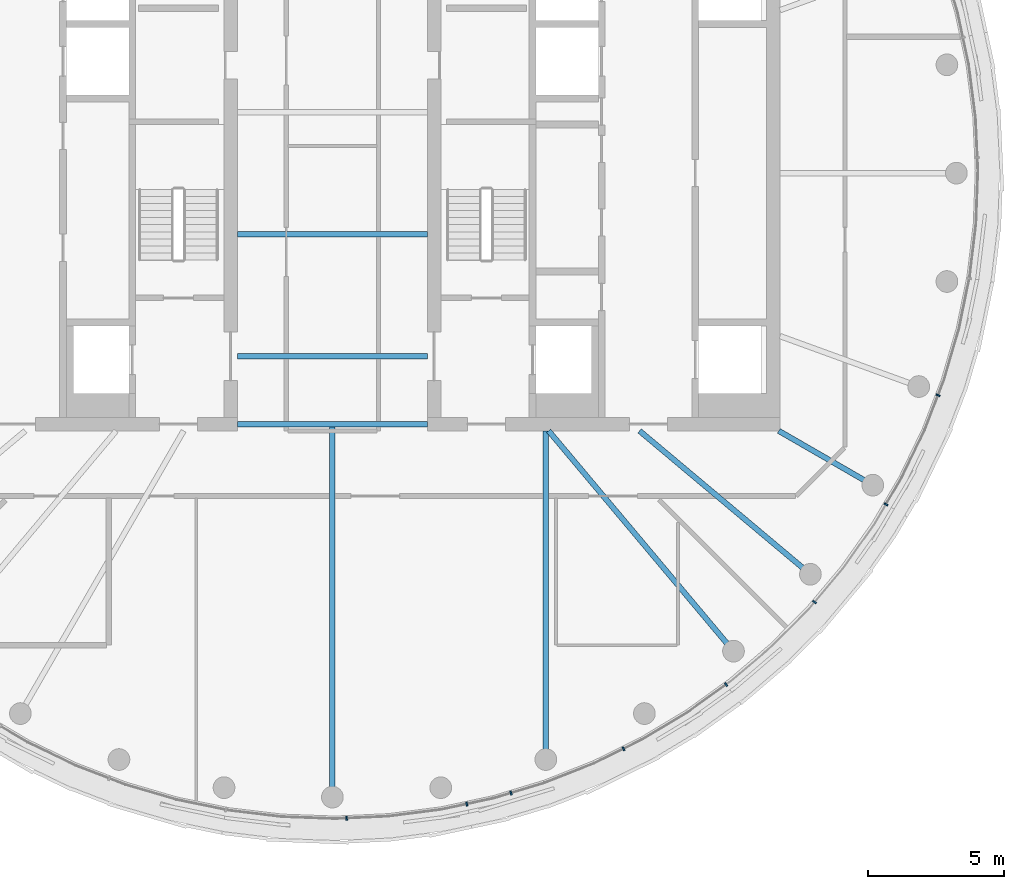
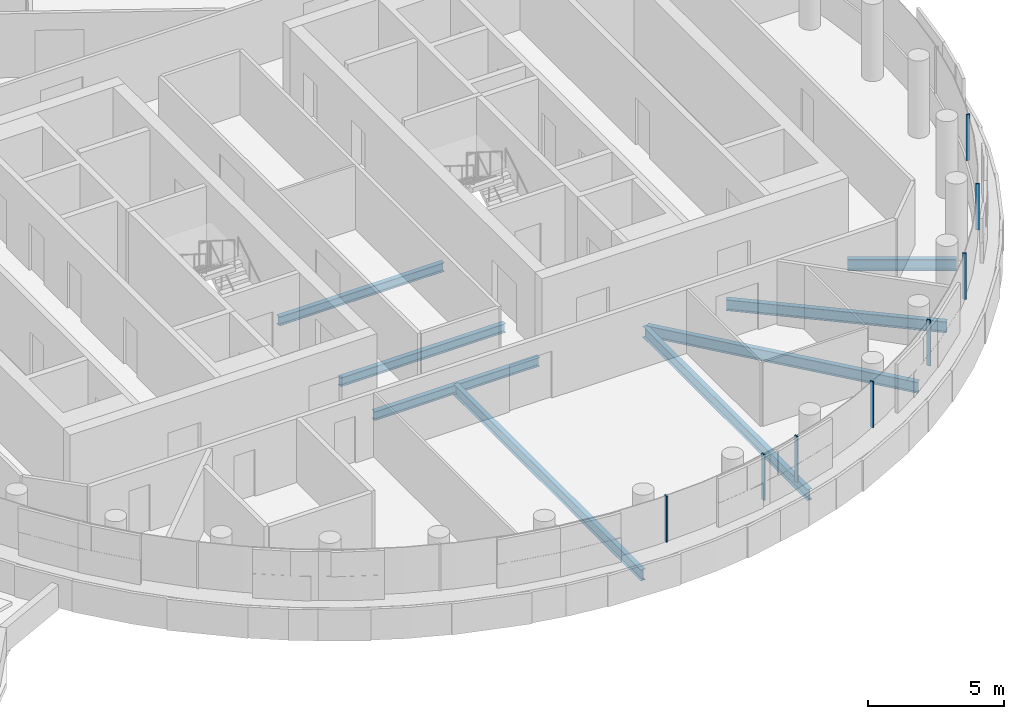
# One storey, part 4 of 22: 8 beams, 8 members, 1 element without a shape of its own.
"""IFC4 building model written with IfcOpenShell, lengths in metres."""

from ifc_helpers import new_model, si_unit, direction, frame, origin, origin_2d, place, context, subcontext, project, spatial, rectangle, i_section, extrude, material, layer, layer_set, material_profile, profile_set, type_object, element, aggregate, save


model = new_model("IFC4")

# Units and contexts
model_context = context("Model", 3, precision=1e-05, world=origin(), true_north=direction((0.0, 1.0)))
body_context = subcontext(model_context, "Body", "Model", "MODEL_VIEW")
ifc_project = project(units=[si_unit("LENGTHUNIT", "METRE"), si_unit("AREAUNIT", "SQUARE_METRE"), si_unit("VOLUMEUNIT", "CUBIC_METRE"), si_unit("PLANEANGLEUNIT", "RADIAN"), si_unit("MASSUNIT", "GRAM", prefix="KILO")], contexts=[model_context])

# Site, building, storey
site_placement = place(None, origin())
site = spatial("IfcSite", under=ifc_project, at=site_placement, CompositionType="ELEMENT")
building_placement = place(site_placement, origin())
building = spatial("IfcBuilding", under=site, at=building_placement, Name="Tamarind Cross Interchange Tower", CompositionType="ELEMENT")
storey_placement = place(building_placement, frame((0.0, 0.0, 256.800048828125)))
storey = spatial("IfcBuildingStorey", under=building, at=storey_placement, Name="L65", CompositionType="ELEMENT", Elevation=256.800048828125)

# Beams
ifc_material_1 = material(Name="Steel Q355B", Category="steel")
ifc_material_profile_1 = material_profile(ifc_material_1, i_section(OverallWidth=0.199951171875, OverallDepth=0.39990234375, WebThickness=0.008056640625, FlangeThickness=0.012939453125, FilletRadius=0.01611328125, at=origin_2d()), Name="HN 400x200x8x13")
ifc_profile_set_1 = profile_set([ifc_material_profile_1], Name="Steel Q355B")
beam_type_1 = type_object("IfcBeamType", Name="Composite beam HN 400x200x8x13 Q355B", PredefinedType="BEAM", material=ifc_profile_set_1)
for number, where, z_axis, x_axis, name in (
    (1, (-3.5, -2.25, -0.340087890625), (1.0, 0.0, 0.0), (0.0, 1.0, 0.0), "Beam G-2.25"),
    (2, (-3.5, -6.75, -0.340087890625), (1.0, 0.0, 0.0), (0.0, 1.0, 0.0), "Beam G-6.75"),
    (3, (-3.5, -9.25, -0.340087890625), (1.0, 0.0, 0.0), (0.0, 1.0, 0.0), "Beam G-9.25"),
):
    element("IfcBeam", number, at=place(storey_placement, frame(where, z_axis=z_axis, x_axis=x_axis)), inside=storey, type_object=beam_type_1, Name=name, PredefinedType="BEAM", context=body_context, shape_type="SweptSolid", body=[
        extrude(i_section(OverallWidth=0.199951171875, OverallDepth=0.39990234375, WebThickness=0.008056640625, FlangeThickness=0.012939453125, FilletRadius=0.01611328125, at=origin_2d()), origin(), (0.0, 0.0, 1.0), 7.0),
    ])
ifc_material_profile_2 = material_profile(ifc_material_1, i_section(OverallWidth=0.198974609375, OverallDepth=0.49609375, WebThickness=0.009033203125, FlangeThickness=0.013916015625, FilletRadius=0.012939453125, at=origin_2d()), Name="HN 496x199x9x14")
ifc_profile_set_2 = profile_set([ifc_material_profile_2], Name="Steel Q355B")
beam_type_2 = type_object("IfcBeamType", Name="Composite beam HN 496x199x9x14 Q355B", PredefinedType="BEAM", material=ifc_profile_set_2)
beam_1_placement = place(storey_placement, frame((0.0, -23.0, -0.387939453125), z_axis=(0.0, 1.0, 0.0), x_axis=(-1.0, 0.0, 0.0)))
element("IfcBeam", 4, at=beam_1_placement, inside=storey, type_object=beam_type_2, Name="Beam HH27", PredefinedType="BEAM", context=body_context, shape_type="SweptSolid", body=[
    extrude(i_section(OverallWidth=0.198974609375, OverallDepth=0.49609375, WebThickness=0.009033203125, FlangeThickness=0.013916015625, FilletRadius=0.012939453125, at=origin_2d()), origin(), (0.0, 0.0, 1.0), 13.75),
])
beam_2_placement = place(storey_placement, frame((7.866455078125, -21.613037109375, -0.387939453125), z_axis=(0.0, 1.0, 0.0), x_axis=(-1.0, 0.0, 0.0)))
element("IfcBeam", 5, at=beam_2_placement, inside=storey, type_object=beam_type_2, Name="Beam HH29", PredefinedType="BEAM", context=body_context, shape_type="SweptSolid", body=[
    extrude(i_section(OverallWidth=0.198974609375, OverallDepth=0.49609375, WebThickness=0.009033203125, FlangeThickness=0.013916015625, FilletRadius=0.012939453125, at=origin_2d()), origin(), (0.0, 0.0, 1.0), 12.113037109375),
])
beam_3_placement = place(storey_placement, frame((14.7841796875, -17.619140625, -0.387939453125), z_axis=(-0.642786293979, 0.766045547127, 0.0), x_axis=(-0.766045547127, -0.642786293979, 0.0)))
element("IfcBeam", 6, at=beam_3_placement, inside=storey, type_object=beam_type_2, Name="Beam HH31", PredefinedType="BEAM", context=body_context, shape_type="SweptSolid", body=[
    extrude(i_section(OverallWidth=0.198974609375, OverallDepth=0.49609375, WebThickness=0.009033203125, FlangeThickness=0.013916015625, FilletRadius=0.012939453125, at=origin_2d()), origin(), (0.0, 0.0, 1.0), 10.598876953125),
])
beam_4_placement = place(storey_placement, frame((17.619140625, -14.7841796875, -0.387939453125), z_axis=(-0.766040580814, 0.642792212574, 0.0), x_axis=(-0.642792212574, -0.766040580814, 0.0)))
element("IfcBeam", 7, at=beam_4_placement, inside=storey, type_object=beam_type_2, Name="Beam HH32", PredefinedType="BEAM", context=body_context, shape_type="SweptSolid", body=[
    extrude(i_section(OverallWidth=0.198974609375, OverallDepth=0.49609375, WebThickness=0.009033203125, FlangeThickness=0.013916015625, FilletRadius=0.012939453125, at=origin_2d()), origin(), (0.0, 0.0, 1.0), 8.220703125),
])
beam_5_placement = place(storey_placement, frame((19.918701171875, -11.5, -0.387939453125), z_axis=(-0.866026010844, 0.49999894854, 0.0), x_axis=(-0.49999894854, -0.866026010844, 0.0)))
element("IfcBeam", 8, at=beam_5_placement, inside=storey, type_object=beam_type_2, Name="Beam HH33", PredefinedType="BEAM", context=body_context, shape_type="SweptSolid", body=[
    extrude(i_section(OverallWidth=0.198974609375, OverallDepth=0.49609375, WebThickness=0.009033203125, FlangeThickness=0.013916015625, FilletRadius=0.012939453125, at=origin_2d()), origin(), (0.0, 0.0, 1.0), 4.0),
])

# Curtain wall, members
ifc_material_2 = material(Name="Aluminium 6063-T6", Category="aluminium")
ifc_layer = layer(ifc_material_2, 0.14990234375)
ifc_layer_set = layer_set([ifc_layer], Name="Aluminium 6063-T6")
curtain_wall_type = type_object("IfcCurtainWallType", Name="Winter garden and crown curtain wall", PredefinedType="NOTDEFINED", material=ifc_layer_set)
curtain_wall_placement = place(storey_placement, origin())
curtain_wall = element("IfcCurtainWall", 9, at=curtain_wall_placement, inside=storey, type_object=curtain_wall_type, Name="CWS-L65-01", PredefinedType="NOTDEFINED")
ifc_material_profile_3 = material_profile(ifc_material_2, rectangle(XDim=0.06005859375, YDim=0.14990234375, at=origin_2d()), Name="Mullion CW6")
ifc_profile_set_3 = profile_set([ifc_material_profile_3], Name="Aluminium 6063-T6")
member_type = type_object("IfcMemberType", Name="Mullion CW6", PredefinedType="MULLION", material=ifc_profile_set_3)
member_1_placement = place(storey_placement, frame((0.52587890625, -23.776123046875, 1.39990234375), z_axis=(0.0, 0.0, 1.0), x_axis=(0.998958660912, 0.045624486728, 0.0)))
member_1 = element("IfcMember", 10, at=member_1_placement, type_object=member_type, Name="CWM-L65-01-14", PredefinedType="MULLION", context=body_context, shape_type="SweptSolid", body=[
    extrude(rectangle(XDim=0.06005859375, YDim=0.14990234375, at=origin_2d()), origin(), (0.0, 0.0, 1.0), 2.06005859375),
])
member_2_placement = place(storey_placement, frame((4.953857421875, -23.253662109375, 1.39990234375), z_axis=(0.0, 0.0, 1.0), x_axis=(0.977824623121, 0.209425419705, 0.0)))
member_2 = element("IfcMember", 11, at=member_2_placement, type_object=member_type, Name="CWM-L65-01-15", PredefinedType="MULLION", context=body_context, shape_type="SweptSolid", body=[
    extrude(rectangle(XDim=0.06005859375, YDim=0.14990234375, at=origin_2d()), origin(), (0.0, 0.0, 1.0), 2.06005859375),
])
member_3_placement = place(storey_placement, frame((6.58203125, -22.848388671875, 1.39990234375), z_axis=(0.0, 0.0, 1.0), x_axis=(0.957190642199, 0.289458243079, 0.0)))
member_3 = element("IfcMember", 12, at=member_3_placement, type_object=member_type, Name="CWM-L65-01-16", PredefinedType="MULLION", context=body_context, shape_type="SweptSolid", body=[
    extrude(rectangle(XDim=0.06005859375, YDim=0.14990234375, at=origin_2d()), origin(), (0.0, 0.0, 1.0), 2.06005859375),
])
member_4_placement = place(storey_placement, frame((10.7314453125, -21.216796875, 1.39990234375), z_axis=(0.0, 0.0, 1.0), x_axis=(0.896492548518, 0.443058811505, 0.0)))
member_4 = element("IfcMember", 13, at=member_4_placement, type_object=member_type, Name="CWM-L65-01-17", PredefinedType="MULLION", context=body_context, shape_type="SweptSolid", body=[
    extrude(rectangle(XDim=0.06005859375, YDim=0.14990234375, at=origin_2d()), origin(), (0.0, 0.0, 1.0), 2.06005859375),
])
member_5_placement = place(storey_placement, frame((14.510498046875, -18.84912109375, 1.39990234375), z_axis=(0.0, 0.0, 1.0), x_axis=(0.811340475102, 0.584573890505, 0.0)))
member_5 = element("IfcMember", 14, at=member_5_placement, type_object=member_type, Name="CWM-L65-01-18", PredefinedType="MULLION", context=body_context, shape_type="SweptSolid", body=[
    extrude(rectangle(XDim=0.06005859375, YDim=0.14990234375, at=origin_2d()), origin(), (0.0, 0.0, 1.0), 2.06005859375),
])
member_6_placement = place(storey_placement, frame((17.771728515625, -15.80810546875, 1.39990234375), z_axis=(0.0, 0.0, 1.0), x_axis=(0.643009266048, 0.765858396687, 0.0)))
member_6 = element("IfcMember", 15, at=member_6_placement, type_object=member_type, Name="CWM-L65-01-19", PredefinedType="MULLION", context=body_context, shape_type="SweptSolid", body=[
    extrude(rectangle(XDim=0.06005859375, YDim=0.14990234375, at=origin_2d()), origin(), (0.0, 0.0, 1.0), 2.06005859375),
])
member_7_placement = place(storey_placement, frame((20.402587890625, -12.207763671875, 1.39990234375), z_axis=(0.0, 0.0, 1.0), x_axis=(0.508183308752, 0.861248933065, 0.0)))
member_7 = element("IfcMember", 16, at=member_7_placement, type_object=member_type, Name="CWM-L65-01-20", PredefinedType="MULLION", context=body_context, shape_type="SweptSolid", body=[
    extrude(rectangle(XDim=0.06005859375, YDim=0.14990234375, at=origin_2d()), origin(), (0.0, 0.0, 1.0), 2.06005859375),
])
member_8_placement = place(storey_placement, frame((22.325439453125, -8.18505859375, 1.39990234375), z_axis=(0.0, 0.0, 1.0), x_axis=(0.359495435512, 0.933146843667, 0.0)))
member_8 = element("IfcMember", 17, at=member_8_placement, type_object=member_type, Name="CWM-L65-01-21", PredefinedType="MULLION", context=body_context, shape_type="SweptSolid", body=[
    extrude(rectangle(XDim=0.06005859375, YDim=0.14990234375, at=origin_2d()), origin(), (0.0, 0.0, 1.0), 2.06005859375),
])
aggregate(curtain_wall, [member_1, member_2, member_3, member_4, member_5, member_6, member_7, member_8])

save(model, "model.ifc")
